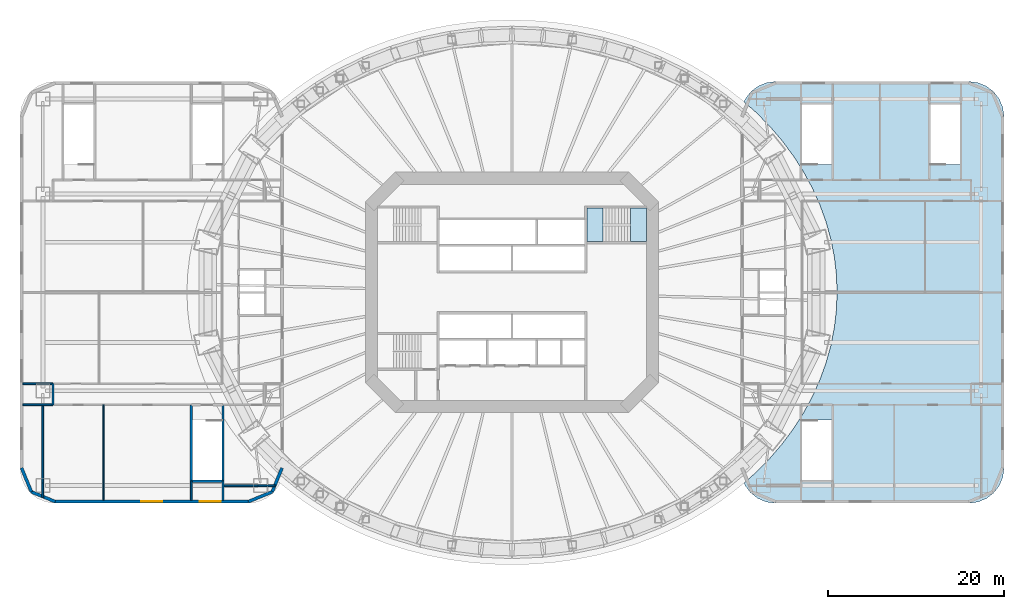
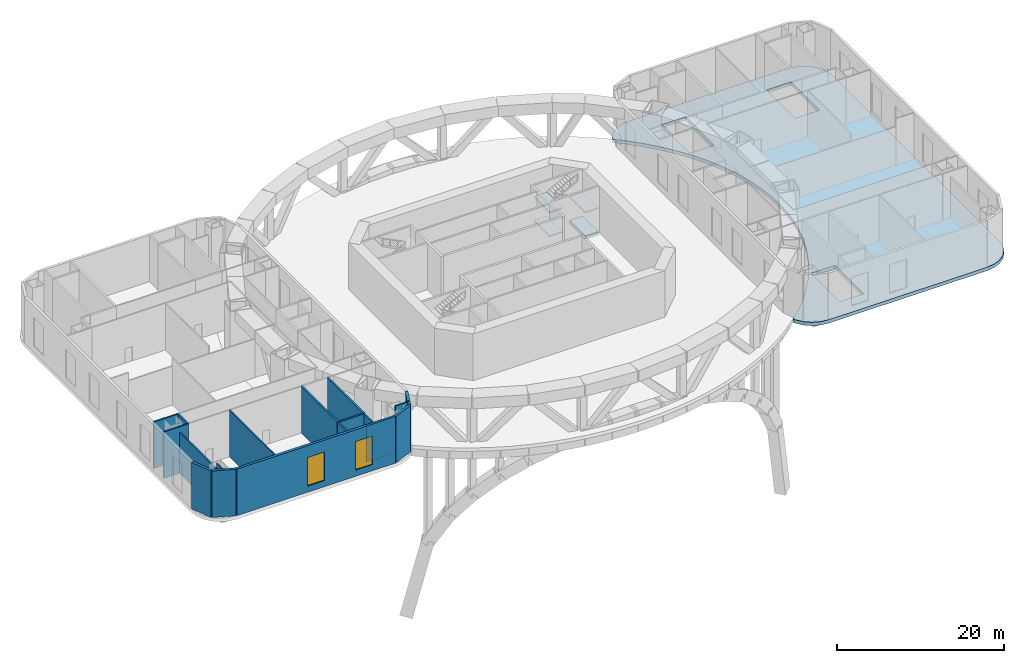
# One storey, part 6 of 13: 18 walls, 5 slabs, 2 windows, 2 openings, 1 element without a shape of its own.
"""IFC4 building model written with IfcOpenShell, lengths in metres."""

from ifc_helpers import new_model, si_unit, direction, frame, frame_2d, origin, place, context, subcontext, project, spatial, polyline, rectangle, outline, extrude, material, layer, layer_set, type_object, element, fill, aggregate, save


model = new_model("IFC4")

# Units and contexts
model_context = context("Model", 3, precision=1e-05, world=origin(), true_north=direction((0.0, 1.0)))
body_context = subcontext(model_context, "Body", "Model", "MODEL_VIEW")
ifc_project = project(units=[si_unit("LENGTHUNIT", "METRE"), si_unit("AREAUNIT", "SQUARE_METRE"), si_unit("VOLUMEUNIT", "CUBIC_METRE"), si_unit("PLANEANGLEUNIT", "RADIAN"), si_unit("MASSUNIT", "GRAM", prefix="KILO")], contexts=[model_context])

# Site, building, storey
site_placement = place(None, origin())
site = spatial("IfcSite", under=ifc_project, at=site_placement, CompositionType="ELEMENT")
building_placement = place(site_placement, origin())
building = spatial("IfcBuilding", under=site, at=building_placement, Name="Marenthal Gate Tower", CompositionType="ELEMENT")
storey_placement = place(building_placement, frame((0.0, 0.0, 26.0)))
storey = spatial("IfcBuildingStorey", under=building, at=storey_placement, Name="L03", CompositionType="ELEMENT", Elevation=26.0)

# Slab
ifc_material_1 = material(Name="Concrete 50 MPa", Category="concrete")
ifc_layer_1 = layer(ifc_material_1, 0.5)
ifc_layer_set_1 = layer_set([ifc_layer_1], Name="Core floor slab 500")
slab_type_1 = type_object("IfcSlabType", Name="Core floor slab 500", PredefinedType="FLOOR", material=ifc_layer_set_1)
slab_1_placement = place(storey_placement, frame((0.0, 0.0, -0.5)))
element("IfcSlab", 1, at=slab_1_placement, inside=storey, type_object=slab_type_1, Name="Core floor L03", PredefinedType="FLOOR", context=body_context, shape_type="SweptSolid", body=[
    extrude(outline(polyline([(15.300048828125, 5.77490234375), (13.5, 5.77490234375), (13.5, 9.574951171875), (15.300048828125, 9.574951171875), (15.300048828125, 5.77490234375)])), origin(), (0.0, 0.0, 1.0), 0.5),
])

# Stair, slabs
ifc_material_2 = material(Name="Concrete 40 MPa", Category="concrete")
stair_type = type_object("IfcStairType", Name="Exit stair 1800", PredefinedType="HALF_TURN_STAIR", material=ifc_material_2)
stair_placement = place(storey_placement, origin())
stair = element("IfcStair", 2, at=stair_placement, inside=storey, type_object=stair_type, Name="Stair ST3", PredefinedType="HALF_TURN_STAIR")
ifc_material_3 = material(Name="Concrete 40 MPa", Category="concrete")
ifc_layer_2 = layer(ifc_material_3, 0.199951171875)
ifc_layer_set_2 = layer_set([ifc_layer_2], Name="Stair landing 200")
slab_type_2 = type_object("IfcSlabType", Name="Stair landing 200", PredefinedType="LANDING", material=ifc_layer_set_2)
slab_2_placement = place(storey_placement, frame((0.0, 0.0, 1.550048828125)))
slab_2 = element("IfcSlab", 3, at=slab_2_placement, type_object=slab_type_2, Name="ST3 landing 1", PredefinedType="LANDING", context=body_context, shape_type="SweptSolid", body=[
    extrude(outline(polyline([(8.550048828125, 5.77490234375), (10.35009765625, 5.77490234375), (10.35009765625, 9.574951171875), (8.550048828125, 9.574951171875), (8.550048828125, 5.77490234375)])), origin(), (0.0, 0.0, 1.0), 0.199951171875),
])
slab_3_placement = place(storey_placement, frame((0.0, 0.0, 3.300048828125)))
slab_3 = element("IfcSlab", 4, at=slab_3_placement, type_object=slab_type_2, Name="ST3 landing 2", PredefinedType="LANDING", context=body_context, shape_type="SweptSolid", body=[
    extrude(outline(polyline([(13.5, 5.77490234375), (15.300048828125, 5.77490234375), (15.300048828125, 9.574951171875), (13.5, 9.574951171875), (13.5, 5.77490234375)])), origin(), (0.0, 0.0, 1.0), 0.199951171875),
])
slab_4_placement = place(storey_placement, frame((0.0, 0.0, 5.050048828125)))
slab_4 = element("IfcSlab", 5, at=slab_4_placement, type_object=slab_type_2, Name="ST3 landing 3", PredefinedType="LANDING", context=body_context, shape_type="SweptSolid", body=[
    extrude(outline(polyline([(8.550048828125, 5.77490234375), (10.35009765625, 5.77490234375), (10.35009765625, 9.574951171875), (8.550048828125, 9.574951171875), (8.550048828125, 5.77490234375)])), origin(), (0.0, 0.0, 1.0), 0.199951171875),
])
aggregate(stair, [slab_2, slab_3, slab_4])

# Slab
ifc_material_4 = material(Name="Concrete 35 MPa", Category="concrete")
ifc_layer_3 = layer(ifc_material_4, 0.5)
ifc_layer_set_3 = layer_set([ifc_layer_3], Name="TRANSFER FLOOR 500")
slab_type_3 = type_object("IfcSlabType", Name="TRANSFER FLOOR 500", PredefinedType="FLOOR", material=ifc_layer_set_3)
slab_5_placement = place(storey_placement, frame((0.0, 0.0, -0.5)))
element("IfcSlab", 6, at=slab_5_placement, inside=storey, type_object=slab_type_3, Name="SL-L03-11", PredefinedType="FLOOR", context=body_context, shape_type="SweptSolid", body=[
    extrude(outline(polyline([(28.0, 23.464111328125), (28.964599609375, 23.86376953125), (30.0, 24.0), (52.0, 24.0), (53.035400390625, 23.86376953125), (54.0, 23.464111328125), (54.828369140625, 22.828369140625), (55.464111328125, 22.0), (55.86376953125, 21.035400390625), (56.0, 20.0), (56.0, -20.0), (55.86376953125, -21.035400390625), (55.464111328125, -22.0), (54.828369140625, -22.828369140625), (54.0, -23.464111328125), (53.035400390625, -23.86376953125), (52.0, -24.0), (30.0, -24.0), (28.964599609375, -23.86376953125), (28.0, -23.464111328125), (27.171630859375, -22.828369140625), (26.535888671875, -22.0), (26.410888671875, -21.698486328125), (27.818115234375, -20.439697265625), (29.35400390625, -18.87158203125), (30.764404296875, -17.22265625), (32.04296875, -15.5), (33.184326171875, -13.7109375), (34.18359375, -11.86328125), (35.036376953125, -9.964599609375), (35.7392578125, -8.0234375), (36.2890625, -6.0478515625), (36.68359375, -4.04638671875), (36.9208984375, -2.027587890625), (37.0, 0.0), (36.9208984375, 2.027587890625), (36.68359375, 4.04638671875), (36.2890625, 6.0478515625), (35.7392578125, 8.0234375), (35.036376953125, 9.964599609375), (34.18359375, 11.86328125), (33.184326171875, 13.7109375), (32.04296875, 15.5), (30.764404296875, 17.22265625), (29.35400390625, 18.87158203125), (27.818115234375, 20.439697265625), (26.410888671875, 21.698486328125), (26.535888671875, 22.0), (27.171630859375, 22.828369140625), (28.0, 23.464111328125)]), holes=[polyline([(33.02490234375, -14.529052734375), (33.02490234375, -21.37109375), (36.375, -21.37109375), (36.375, -14.529052734375), (33.02490234375, -14.529052734375)]), polyline([(33.02490234375, 21.37109375), (33.02490234375, 14.529052734375), (36.375, 14.529052734375), (36.375, 21.37109375), (33.02490234375, 21.37109375)]), polyline([(47.625, 21.37109375), (47.625, 14.529052734375), (50.97509765625, 14.529052734375), (50.97509765625, 21.37109375), (47.625, 21.37109375)])]), origin(), (0.0, 0.0, 1.0), 0.5),
])

# Walls
ifc_material_5 = material(Name="Gypsum board on steel studs", Category="steel")
ifc_layer_4 = layer(ifc_material_5, 0.14990234375)
ifc_layer_set_4 = layer_set([ifc_layer_4], Name="Partition 150")
wall_type_1 = type_object("IfcWallType", Name="Partition 150", PredefinedType="PARTITIONING", material=ifc_layer_set_4)
wall_1_placement = place(storey_placement, frame((-46.5, -23.669921875, 0.0), z_axis=(0.0, 0.0, 1.0), x_axis=(0.0, 1.0, 0.0)))
element("IfcWall", 7, at=wall_1_placement, inside=storey, type_object=wall_type_1, Name="Partition wall 74", PredefinedType="PARTITIONING", context=body_context, shape_type="SweptSolid", body=[
    extrude(rectangle(XDim=10.869873046875, YDim=0.14990234375, at=frame_2d((5.43505859375, 0.0))), origin(), (0.0, 0.0, 1.0), 6.820068359375),
])
ifc_material_6 = material(Name="Gypsum board on steel studs", Category="steel")
ifc_layer_5 = layer(ifc_material_6, 0.199951171875)
ifc_layer_set_5 = layer_set([ifc_layer_5], Name="Partition 200")
wall_type_2 = type_object("IfcWallType", Name="Partition 200", PredefinedType="PARTITIONING", material=ifc_layer_set_5)
wall_2_placement = place(storey_placement, frame((-32.89990234375, -22.0, 0.0), z_axis=(0.0, 0.0, 1.0), x_axis=(1.0, 0.0, 0.0)))
element("IfcWall", 8, at=wall_2_placement, inside=storey, type_object=wall_type_2, Name="Partition wall 76", PredefinedType="PARTITIONING", context=body_context, shape_type="SweptSolid", body=[
    extrude(rectangle(XDim=4.0, YDim=0.199951171875, at=frame_2d((2.0, 0.0))), origin(), (0.0, 0.0, 1.0), 5.360107421875),
])
wall_3_placement = place(storey_placement, frame((-28.89990234375, -22.0, 0.0), z_axis=(0.0, 0.0, 1.0), x_axis=(1.0, 0.0, 0.0)))
element("IfcWall", 9, at=wall_3_placement, inside=storey, type_object=wall_type_2, Name="Partition wall 150", PredefinedType="PARTITIONING", context=body_context, shape_type="SweptSolid", body=[
    extrude(rectangle(XDim=1.947998046875, YDim=0.199951171875, at=frame_2d((0.97412109375, 0.0))), origin(), (0.0, 0.0, 1.0), 6.820068359375),
])
for number, where, z_axis, x_axis, name in (
    (10, (-55.669921875, -12.800048828125, 0.0), (0.0, 0.0, 1.0), (1.0, 0.0, 0.0), "Partition wall 78"),
    (11, (-55.669921875, -10.39990234375, 0.0), (0.0, 0.0, 1.0), (1.0, 0.0, 0.0), "Partition wall 82"),
):
    element("IfcWall", number, at=place(storey_placement, frame(where, z_axis=z_axis, x_axis=x_axis)), inside=storey, type_object=wall_type_2, Name=name, PredefinedType="PARTITIONING", context=body_context, shape_type="SweptSolid", body=[
        extrude(rectangle(XDim=3.4248046875, YDim=0.199951171875, at=frame_2d((1.71240234375, 0.0))), origin(), (0.0, 0.0, 1.0), 6.820068359375),
    ])
for number, where, z_axis, x_axis, name in (
    (12, (-32.89990234375, -23.669921875, 0.0), (0.0, 0.0, 1.0), (0.0, 1.0, 0.0), "Partition wall 13"),
    (13, (-36.5, -23.669921875, 0.0), (0.0, 0.0, 1.0), (0.0, 1.0, 0.0), "Partition wall 15"),
):
    element("IfcWall", number, at=place(storey_placement, frame(where, z_axis=z_axis, x_axis=x_axis)), inside=storey, type_object=wall_type_2, Name=name, PredefinedType="PARTITIONING", context=body_context, shape_type="SweptSolid", body=[
        extrude(rectangle(XDim=2.173828125, YDim=0.199951171875, at=frame_2d((1.0869140625, 0.0))), origin(), (0.0, 0.0, 1.0), 6.820068359375),
    ])
wall_4_placement = place(storey_placement, frame((-52.25, -12.800048828125, 0.0), z_axis=(0.0, 0.0, 1.0), x_axis=(0.0, 1.0, 0.0)))
element("IfcWall", 14, at=wall_4_placement, inside=storey, type_object=wall_type_2, Name="Partition wall 19", PredefinedType="PARTITIONING", context=body_context, shape_type="SweptSolid", body=[
    extrude(rectangle(XDim=2.400146484375, YDim=0.199951171875, at=frame_2d((1.2001953125, 0.0))), origin(), (0.0, 0.0, 1.0), 6.820068359375),
])
wall_5_placement = place(storey_placement, frame((-53.39990234375, -23.35546875, 0.0), z_axis=(0.0, 0.0, 1.0), x_axis=(0.0, 1.0, 0.0)))
element("IfcWall", 15, at=wall_5_placement, inside=storey, type_object=wall_type_2, Name="Partition wall 21", PredefinedType="PARTITIONING", context=body_context, shape_type="SweptSolid", body=[
    extrude(rectangle(XDim=1.655517578125, YDim=0.199951171875, at=frame_2d((0.82763671875, 0.0))), origin(), (0.0, 0.0, 1.0), 6.820068359375),
])
wall_6_placement = place(storey_placement, frame((-53.39990234375, -21.699951171875, 0.0), z_axis=(0.0, 0.0, 1.0), x_axis=(0.0, 1.0, 0.0)))
element("IfcWall", 16, at=wall_6_placement, inside=storey, type_object=wall_type_2, Name="Partition wall 155", PredefinedType="PARTITIONING", context=body_context, shape_type="SweptSolid", body=[
    extrude(rectangle(XDim=8.89990234375, YDim=0.199951171875, at=frame_2d((4.449951171875, 0.0))), origin(), (0.0, 0.0, 1.0), 5.97705078125),
])
ifc_material_7 = material(Name="Concrete 50 MPa", Category="concrete")
ifc_layer_6 = layer(ifc_material_7, 0.25)
ifc_layer_set_6 = layer_set([ifc_layer_6], Name="Stair shear wall 250")
wall_type_3 = type_object("IfcWallType", Name="Stair shear wall 250", PredefinedType="SHEAR", material=ifc_layer_set_6)
wall_7_placement = place(storey_placement, frame((-36.5, -21.5, 0.0), z_axis=(0.0, 0.0, 1.0), x_axis=(1.0, 0.0, 0.0)))
element("IfcWall", 17, at=wall_7_placement, inside=storey, type_object=wall_type_3, Name="Stair wall 22", PredefinedType="SHEAR", context=body_context, shape_type="SweptSolid", body=[
    extrude(rectangle(XDim=3.60009765625, YDim=0.25, at=frame_2d((1.800048828125, 0.0))), origin(), (0.0, 0.0, 1.0), 6.820068359375),
])
for number, where, z_axis, x_axis, name in (
    (18, (-32.89990234375, -21.5, 0.0), (0.0, 0.0, 1.0), (0.0, 1.0, 0.0), "Stair wall 40"),
    (19, (-36.5, -21.5, 0.0), (0.0, 0.0, 1.0), (0.0, 1.0, 0.0), "Stair wall 42"),
):
    element("IfcWall", number, at=place(storey_placement, frame(where, z_axis=z_axis, x_axis=x_axis)), inside=storey, type_object=wall_type_3, Name=name, PredefinedType="SHEAR", context=body_context, shape_type="SweptSolid", body=[
        extrude(rectangle(XDim=8.699951171875, YDim=0.25, at=frame_2d((4.35009765625, 0.0))), origin(), (0.0, 0.0, 1.0), 6.820068359375),
    ])
ifc_material_8 = material(Name="Terracotta cladding on insulated concrete-block backing", Category="masonry")
ifc_layer_7 = layer(ifc_material_8, 0.35009765625)
ifc_layer_set_7 = layer_set([ifc_layer_7], Name="Terracotta cladding wall 350")
wall_type_4 = type_object("IfcWallType", Name="Terracotta cladding wall 350", PredefinedType="SOLIDWALL", material=ifc_layer_set_7)
for number, where, z_axis, x_axis, name in (
    (20, (-30.011474609375, -23.824951171875, 0.0), (0.0, 0.0, 1.0), (0.924274813566, 0.381727741993, 0.0), "Terracotta cladding wall L03 W1"),
    (21, (-27.29638671875, -22.70361328125, 0.0), (0.0, 0.0, 1.0), (0.381727741993, 0.924274813566, 0.0), "Terracotta cladding wall L03 W2"),
    (22, (-55.824951171875, -19.988525390625, 0.0), (0.0, 0.0, 1.0), (0.381727741993, -0.924274813566, 0.0), "Terracotta cladding wall L03 W10"),
    (23, (-54.70361328125, -22.70361328125, 0.0), (0.0, 0.0, 1.0), (0.924274813566, -0.381727741993, 0.0), "Terracotta cladding wall L03 W11"),
):
    element("IfcWall", number, at=place(storey_placement, frame(where, z_axis=z_axis, x_axis=x_axis)), inside=storey, type_object=wall_type_4, Name=name, PredefinedType="SOLIDWALL", context=body_context, shape_type="SweptSolid", body=[
        extrude(rectangle(XDim=2.9375, YDim=0.35009765625, at=frame_2d((1.46875, 0.0))), origin(), (0.0, 0.0, 1.0), 6.820068359375),
    ])

# Wall, openings, windows
wall_8_placement = place(storey_placement, frame((-51.988525390625, -23.824951171875, 0.0), z_axis=(0.0, 0.0, 1.0), x_axis=(1.0, 0.0, 0.0)))
wall_8 = element("IfcWall", 24, at=wall_8_placement, inside=storey, type_object=wall_type_4, Name="Terracotta cladding wall L03 W12", PredefinedType="SOLIDWALL", context=body_context, shape_type="SweptSolid", body=[
    extrude(rectangle(XDim=21.97705078125, YDim=0.35009765625, at=frame_2d((10.988525390625, 0.0))), origin(), (0.0, 0.0, 1.0), 6.820068359375),
])
opening_1_placement = place(wall_8_placement, frame((9.78857421875, 0.0, 0.89990234375)))
opening_1 = element("IfcOpeningElement", 25, at=opening_1_placement, cuts=wall_8, Name="Opening WN4-L03-95", PredefinedType="OPENING", context=body_context, shape_type="SweptSolid", body=[
    extrude(rectangle(XDim=2.39990234375, YDim=4.199951171875, at=frame_2d((1.199951171875, 2.10009765625))), frame((0.0, 0.18505859375, 0.0), z_axis=(0.0, -1.0, 0.0), x_axis=(1.0, 0.0, 0.0)), (0.0, 0.0, 1.0), 0.3701171875),
])
opening_2_placement = place(wall_8_placement, frame((16.4384765625, 0.0, 0.89990234375)))
opening_2 = element("IfcOpeningElement", 26, at=opening_2_placement, cuts=wall_8, Name="Opening WN4-L03-96", PredefinedType="OPENING", context=body_context, shape_type="SweptSolid", body=[
    extrude(rectangle(XDim=2.39990234375, YDim=4.199951171875, at=frame_2d((1.199951171875, 2.10009765625))), frame((0.0, 0.18505859375, 0.0), z_axis=(0.0, -1.0, 0.0), x_axis=(1.0, 0.0, 0.0)), (0.0, 0.0, 1.0), 0.3701171875),
])
ifc_material_9 = material(Name="Aluminium and laminated impact-rated glass", Category="aluminium")
window_type = type_object("IfcWindowType", Name="Window 2400x4200 impact-rated", PartitioningType="DOUBLE_PANEL_VERTICAL", PredefinedType="WINDOW", material=ifc_material_9)
window_1_placement = place(opening_1_placement, origin())
window_1 = element("IfcWindow", 27, at=window_1_placement, inside=storey, type_object=window_type, Name="Window L03 W12 1", OverallHeight=4.199951171875, OverallWidth=2.39990234375, PartitioningType="SINGLE_PANEL", PredefinedType="WINDOW", context=body_context, shape_type="SweptSolid", body=[
    extrude(rectangle(XDim=2.39990234375, YDim=4.199951171875, at=frame_2d((1.199951171875, 2.10009765625))), frame((0.0, 0.030029296875, 0.0), z_axis=(0.0, -1.0, 0.0), x_axis=(1.0, 0.0, 0.0)), (0.0, 0.0, 1.0), 0.06005859375),
])
fill(opening_1, window_1)
window_2_placement = place(opening_2_placement, origin())
window_2 = element("IfcWindow", 28, at=window_2_placement, inside=storey, type_object=window_type, Name="Window L03 W12 2", OverallHeight=4.199951171875, OverallWidth=2.39990234375, PartitioningType="SINGLE_PANEL", PredefinedType="WINDOW", context=body_context, shape_type="SweptSolid", body=[
    extrude(rectangle(XDim=2.39990234375, YDim=4.199951171875, at=frame_2d((1.199951171875, 2.10009765625))), frame((0.0, 0.030029296875, 0.0), z_axis=(0.0, -1.0, 0.0), x_axis=(1.0, 0.0, 0.0)), (0.0, 0.0, 1.0), 0.06005859375),
])
fill(opening_2, window_2)

save(model, "model.ifc")
